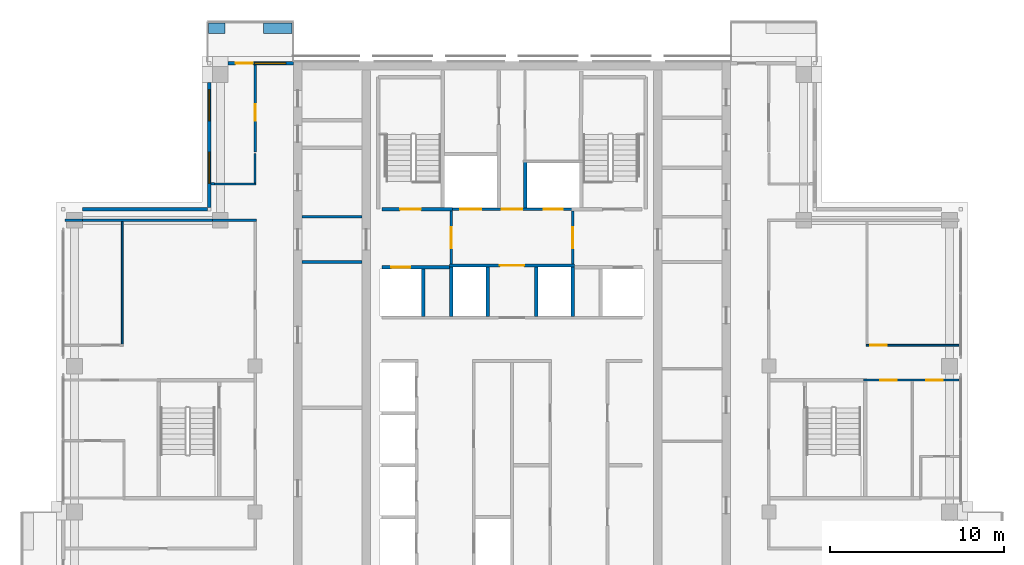
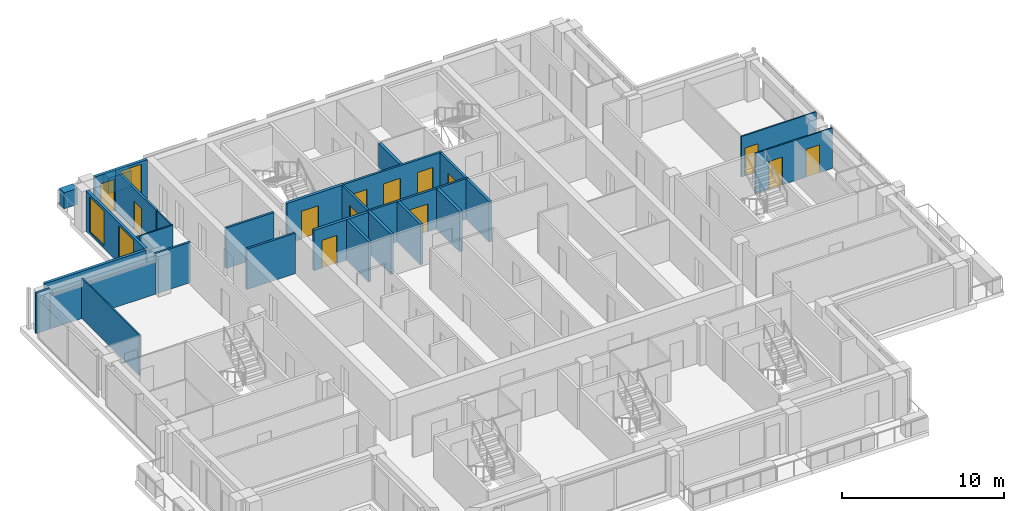
# One storey, part 12 of 17: 29 walls, 13 doors, 3 windows, 16 openings.
"""IFC4 building model written with IfcOpenShell, lengths in metres."""

from ifc_helpers import new_model, si_unit, direction, frame, frame_2d, origin, place, context, subcontext, project, spatial, rectangle, extrude, material, layer, layer_set, type_object, element, fill, save


model = new_model("IFC4")

# Units and contexts
model_context = context("Model", 3, precision=1e-05, world=origin(), true_north=direction((0.0, 1.0)))
body_context = subcontext(model_context, "Body", "Model", "MODEL_VIEW")
ifc_project = project(units=[si_unit("LENGTHUNIT", "METRE"), si_unit("AREAUNIT", "SQUARE_METRE"), si_unit("VOLUMEUNIT", "CUBIC_METRE"), si_unit("PLANEANGLEUNIT", "RADIAN"), si_unit("MASSUNIT", "GRAM", prefix="KILO")], contexts=[model_context])

# Site, building, storey
site_placement = place(None, origin())
site = spatial("IfcSite", under=ifc_project, at=site_placement, CompositionType="ELEMENT")
building_placement = place(site_placement, origin())
building = spatial("IfcBuilding", under=site, at=building_placement, Name="Vermilion Ogive Tower", CompositionType="ELEMENT")
storey_placement = place(building_placement, frame((0.0, 0.0, 257.949951171875)))
storey = spatial("IfcBuildingStorey", under=building, at=storey_placement, Name="L68", CompositionType="ELEMENT", Elevation=257.949951171875)

# Walls
ifc_material_1 = material(Name="Gypsum board partition on steel studs", Category="steel")
ifc_layer_1 = layer(ifc_material_1, 0.10009765625)
ifc_layer_set_1 = layer_set([ifc_layer_1], Name="Partition 100 bath")
wall_type_1 = type_object("IfcWallType", Name="Partition 100 bath", PredefinedType="PARTITIONING", material=ifc_layer_set_1)
wall_1_placement = place(storey_placement, frame((-17.25, 14.699951171875, 0.0), z_axis=(0.0, 0.0, 1.0), x_axis=(1.0, 0.0, 0.0)))
element("IfcWall", 1, at=wall_1_placement, inside=storey, type_object=wall_type_1, Name="L68-W-W033", PredefinedType="PARTITIONING", context=body_context, shape_type="SweptSolid", body=[
    extrude(rectangle(XDim=2.5, YDim=0.10009765625, at=frame_2d((1.25, 0.0))), origin(), (0.0, 0.0, 1.0), 3.050048828125),
])
wall_2_placement = place(storey_placement, frame((-14.800048828125, 14.75, 0.0), z_axis=(0.0, 0.0, 1.0), x_axis=(0.0, 1.0, 0.0)))
element("IfcWall", 2, at=wall_2_placement, inside=storey, type_object=wall_type_1, Name="L68-W-W046", PredefinedType="PARTITIONING", context=body_context, shape_type="SweptSolid", body=[
    extrude(rectangle(XDim=1.699951171875, YDim=0.10009765625, at=frame_2d((0.85009765625, 0.0))), origin(), (0.0, 0.0, 1.0), 3.050048828125),
])

# Wall, openings, doors
ifc_material_2 = material(Name="Gypsum board partition on steel studs", Category="steel")
ifc_layer_2 = layer(ifc_material_2, 0.10009765625)
ifc_layer_set_2 = layer_set([ifc_layer_2], Name="Partition 100 inner")
wall_type_2 = type_object("IfcWallType", Name="Partition 100 inner", PredefinedType="PARTITIONING", material=ifc_layer_set_2)
wall_3_placement = place(storey_placement, frame((20.25, 3.39990234375, 0.0), z_axis=(0.0, 0.0, 1.0), x_axis=(1.0, 0.0, 0.0)))
wall_3 = element("IfcWall", 3, at=wall_3_placement, inside=storey, type_object=wall_type_2, Name="L68-W-W027", PredefinedType="PARTITIONING", context=body_context, shape_type="SweptSolid", body=[
    extrude(rectangle(XDim=5.5, YDim=0.10009765625, at=frame_2d((2.75, 0.0))), origin(), (0.0, 0.0, 1.0), 3.050048828125),
])
opening_1_placement = place(wall_3_placement, frame((3.625, 0.0, 0.0)))
opening_1 = element("IfcOpeningElement", 4, at=opening_1_placement, cuts=wall_3, Name="Opening D5G5014", PredefinedType="OPENING", context=body_context, shape_type="SweptSolid", body=[
    extrude(rectangle(XDim=0.949951171875, YDim=2.10009765625, at=frame_2d((0.47509765625, 1.050048828125))), frame((0.0, 0.06005859375, 0.0), z_axis=(0.0, -1.0, 0.0), x_axis=(1.0, 0.0, 0.0)), (0.0, 0.0, 1.0), 0.1201171875),
])
opening_2_placement = place(wall_3_placement, frame((0.97509765625, 0.0, 0.0)))
opening_2 = element("IfcOpeningElement", 5, at=opening_2_placement, cuts=wall_3, Name="Opening D5G5017", PredefinedType="OPENING", context=body_context, shape_type="SweptSolid", body=[
    extrude(rectangle(XDim=0.949951171875, YDim=2.10009765625, at=frame_2d((0.47509765625, 1.050048828125))), frame((0.0, 0.06005859375, 0.0), z_axis=(0.0, -1.0, 0.0), x_axis=(1.0, 0.0, 0.0)), (0.0, 0.0, 1.0), 0.1201171875),
])
ifc_material_3 = material(Name="Timber door leaf", Category="wood")
door_type_1 = type_object("IfcDoorType", Name="Inner door 950 x 2100 FD30", OperationType="SINGLE_SWING_LEFT", PredefinedType="DOOR", material=ifc_material_3)
door_1_placement = place(opening_1_placement, origin())
door_1 = element("IfcDoor", 6, at=door_1_placement, inside=storey, type_object=door_type_1, Name="L68-D-D014", OperationType="SINGLE_SWING_LEFT", OverallHeight=2.10009765625, OverallWidth=0.949951171875, PredefinedType="DOOR", context=body_context, shape_type="SweptSolid", body=[
    extrude(rectangle(XDim=0.949951171875, YDim=2.10009765625, at=frame_2d((0.47509765625, 1.050048828125))), frame((0.0, 0.02490234375, 0.0), z_axis=(0.0, -1.0, 0.0), x_axis=(1.0, 0.0, 0.0)), (0.0, 0.0, 1.0), 0.050048828125),
])
fill(opening_1, door_1)
door_2_placement = place(opening_2_placement, origin())
door_2 = element("IfcDoor", 7, at=door_2_placement, inside=storey, type_object=door_type_1, Name="L68-D-D017", OperationType="SINGLE_SWING_RIGHT", OverallHeight=2.10009765625, OverallWidth=0.949951171875, PredefinedType="DOOR", context=body_context, shape_type="SweptSolid", body=[
    extrude(rectangle(XDim=0.949951171875, YDim=2.10009765625, at=frame_2d((0.47509765625, 1.050048828125))), frame((0.0, 0.02490234375, 0.0), z_axis=(0.0, -1.0, 0.0), x_axis=(1.0, 0.0, 0.0)), (0.0, 0.0, 1.0), 0.050048828125),
])
fill(opening_2, door_2)

# Wall, opening, door
wall_4_placement = place(storey_placement, frame((20.39990234375, 5.39990234375, 0.0), z_axis=(0.0, 0.0, 1.0), x_axis=(1.0, 0.0, 0.0)))
wall_4 = element("IfcWall", 8, at=wall_4_placement, inside=storey, type_object=wall_type_2, Name="L68-W-W029", PredefinedType="PARTITIONING", context=body_context, shape_type="SweptSolid", body=[
    extrude(rectangle(XDim=5.35009765625, YDim=0.10009765625, at=frame_2d((2.675048828125, 0.0))), origin(), (0.0, 0.0, 1.0), 3.050048828125),
])
opening_3_placement = place(wall_4_placement, frame((0.25, 0.0, 0.0)))
opening_3 = element("IfcOpeningElement", 9, at=opening_3_placement, cuts=wall_4, Name="Opening D5G5015", PredefinedType="OPENING", context=body_context, shape_type="SweptSolid", body=[
    extrude(rectangle(XDim=0.949951171875, YDim=2.10009765625, at=frame_2d((0.47509765625, 1.050048828125))), frame((0.0, 0.06005859375, 0.0), z_axis=(0.0, -1.0, 0.0), x_axis=(1.0, 0.0, 0.0)), (0.0, 0.0, 1.0), 0.1201171875),
])
door_3_placement = place(opening_3_placement, origin())
door_3 = element("IfcDoor", 10, at=door_3_placement, inside=storey, type_object=door_type_1, Name="L68-D-D015", OperationType="SINGLE_SWING_LEFT", OverallHeight=2.10009765625, OverallWidth=0.949951171875, PredefinedType="DOOR", context=body_context, shape_type="SweptSolid", body=[
    extrude(rectangle(XDim=0.949951171875, YDim=2.10009765625, at=frame_2d((0.47509765625, 1.050048828125))), frame((0.0, 0.02490234375, 0.0), z_axis=(0.0, -1.0, 0.0), x_axis=(1.0, 0.0, 0.0)), (0.0, 0.0, 1.0), 0.050048828125),
])
fill(opening_3, door_3)

# Walls
wall_5_placement = place(storey_placement, frame((-22.449951171875, 5.449951171875, 0.0), z_axis=(0.0, 0.0, 1.0), x_axis=(0.0, 1.0, 0.0)))
element("IfcWall", 11, at=wall_5_placement, inside=storey, type_object=wall_type_2, Name="L68-W-W038", PredefinedType="PARTITIONING", context=body_context, shape_type="SweptSolid", body=[
    extrude(rectangle(XDim=7.074951171875, YDim=0.10009765625, at=frame_2d((3.53759765625, 0.0))), origin(), (0.0, 0.0, 1.0), 3.050048828125),
])
ifc_material_4 = material(Name="Gypsum board partition on steel studs", Category="steel")
ifc_layer_3 = layer(ifc_material_4, 0.14990234375)
ifc_layer_set_3 = layer_set([ifc_layer_3], Name="Partition 150 corridor")
wall_type_3 = type_object("IfcWallType", Name="Partition 150 corridor", PredefinedType="PARTITIONING", material=ifc_layer_set_3)
wall_6_placement = place(storey_placement, frame((-25.75, 12.60009765625, 0.0), z_axis=(0.0, 0.0, 1.0), x_axis=(1.0, 0.0, 0.0)))
element("IfcWall", 12, at=wall_6_placement, inside=storey, type_object=wall_type_3, Name="L68-W-W030", PredefinedType="PARTITIONING", context=body_context, shape_type="SweptSolid", body=[
    extrude(rectangle(XDim=1.0, YDim=0.14990234375, at=frame_2d((0.5, 0.0))), origin(), (0.0, 0.0, 1.0), 3.050048828125),
])
wall_7_placement = place(storey_placement, frame((-17.35009765625, 14.699951171875, 0.0), z_axis=(0.0, 0.0, 1.0), x_axis=(1.0, 0.0, 0.0)))
element("IfcWall", 13, at=wall_7_placement, inside=storey, type_object=wall_type_3, Name="L68-W-W032", PredefinedType="PARTITIONING", context=body_context, shape_type="SweptSolid", body=[
    extrude(rectangle(XDim=0.2001953125, YDim=0.14990234375, at=frame_2d((0.10009765625, 0.0))), origin(), (0.0, 0.0, 1.0), 3.050048828125),
])

# Wall, opening, door
wall_8_placement = place(storey_placement, frame((-14.800048828125, 16.550048828125, 0.0), z_axis=(0.0, 0.0, 1.0), x_axis=(0.0, 1.0, 0.0)))
wall_8 = element("IfcWall", 14, at=wall_8_placement, inside=storey, type_object=wall_type_3, Name="L68-W-W047", PredefinedType="PARTITIONING", context=body_context, shape_type="SweptSolid", body=[
    extrude(rectangle(XDim=5.0, YDim=0.14990234375, at=frame_2d((2.5, 0.0))), origin(), (0.0, 0.0, 1.0), 3.050048828125),
])
opening_4_placement = place(wall_8_placement, frame((1.800048828125, 0.0, 0.0)))
opening_4 = element("IfcOpeningElement", 15, at=opening_4_placement, cuts=wall_8, Name="Opening D5G5007", PredefinedType="OPENING", context=body_context, shape_type="SweptSolid", body=[
    extrude(rectangle(XDim=0.949951171875, YDim=2.10009765625, at=frame_2d((0.47509765625, 1.050048828125))), frame((0.0, 0.0849609375, 0.0), z_axis=(0.0, -1.0, 0.0), x_axis=(1.0, 0.0, 0.0)), (0.0, 0.0, 1.0), 0.169921875),
])
ifc_material_5 = material(Name="Timber door leaf", Category="wood")
door_type_2 = type_object("IfcDoorType", Name="Unit door 950 x 2100 FD30S", OperationType="SINGLE_SWING_LEFT", PredefinedType="DOOR", material=ifc_material_5)
door_4_placement = place(opening_4_placement, origin())
door_4 = element("IfcDoor", 16, at=door_4_placement, inside=storey, type_object=door_type_2, Name="L68-D-D007", OperationType="SINGLE_SWING_RIGHT", OverallHeight=2.10009765625, OverallWidth=0.949951171875, PredefinedType="DOOR", context=body_context, shape_type="SweptSolid", body=[
    extrude(rectangle(XDim=0.949951171875, YDim=2.10009765625, at=frame_2d((0.47509765625, 1.050048828125))), frame((0.0, 0.02490234375, 0.0), z_axis=(0.0, -1.0, 0.0), x_axis=(1.0, 0.0, 0.0)), (0.0, 0.0, 1.0), 0.050048828125),
])
fill(opening_4, door_4)

wall_9_placement = place(storey_placement, frame((-3.60009765625, 10.0, 0.0), z_axis=(0.0, 0.0, 1.0), x_axis=(1.0, 0.0, 0.0)))
wall_9 = element("IfcWall", 17, at=wall_9_placement, inside=storey, type_object=wall_type_3, Name="L68-CK-W-W013", PredefinedType="PARTITIONING", context=body_context, shape_type="SweptSolid", body=[
    extrude(rectangle(XDim=7.2001953125, YDim=0.14990234375, at=frame_2d((3.60009765625, 0.0))), origin(), (0.0, 0.0, 1.0), 3.050048828125),
])
opening_5_placement = place(wall_9_placement, frame((2.900146484375, 0.0, 0.0)))
opening_5 = element("IfcOpeningElement", 18, at=opening_5_placement, cuts=wall_9, Name="Opening DAA636", PredefinedType="OPENING", context=body_context, shape_type="SweptSolid", body=[
    extrude(rectangle(XDim=1.39990234375, YDim=2.10009765625, at=frame_2d((0.699951171875, 1.050048828125))), frame((0.0, 0.0849609375, 0.0), z_axis=(0.0, -1.0, 0.0), x_axis=(1.0, 0.0, 0.0)), (0.0, 0.0, 1.0), 0.169921875),
])
ifc_material_6 = material(Name="Timber door leaf", Category="wood")
door_type_3 = type_object("IfcDoorType", Name="Lobby door 1400 x 2100 FD60S", OperationType="SINGLE_SWING_LEFT", PredefinedType="DOOR", material=ifc_material_6)
door_5_placement = place(opening_5_placement, origin())
door_5 = element("IfcDoor", 19, at=door_5_placement, inside=storey, type_object=door_type_3, Name="L68-CK-D-D016", OperationType="SINGLE_SWING_RIGHT", OverallHeight=2.10009765625, OverallWidth=1.39990234375, PredefinedType="DOOR", context=body_context, shape_type="SweptSolid", body=[
    extrude(rectangle(XDim=1.39990234375, YDim=2.10009765625, at=frame_2d((0.699951171875, 1.050048828125))), frame((0.0, 0.02490234375, 0.0), z_axis=(0.0, -1.0, 0.0), x_axis=(1.0, 0.0, 0.0)), (0.0, 0.0, 1.0), 0.050048828125),
])
fill(opening_5, door_5)

# Wall, openings, doors
wall_10_placement = place(storey_placement, frame((-3.574951171875, 13.25, 0.0), z_axis=(0.0, 0.0, 1.0), x_axis=(1.0, 0.0, 0.0)))
wall_10 = element("IfcWall", 20, at=wall_10_placement, inside=storey, type_object=wall_type_3, Name="L68-CK-W-W015", PredefinedType="PARTITIONING", context=body_context, shape_type="SweptSolid", body=[
    extrude(rectangle(XDim=7.14990234375, YDim=0.14990234375, at=frame_2d((3.574951171875, 0.0))), origin(), (0.0, 0.0, 1.0), 3.050048828125),
])
opening_6_placement = place(wall_10_placement, frame((0.599853515625, 0.0, 0.0)))
opening_6 = element("IfcOpeningElement", 21, at=opening_6_placement, cuts=wall_10, Name="Opening DAA655", PredefinedType="OPENING", context=body_context, shape_type="SweptSolid", body=[
    extrude(rectangle(XDim=1.199951171875, YDim=2.10009765625, at=frame_2d((0.60009765625, 1.050048828125))), frame((0.0, 0.0849609375, 0.0), z_axis=(0.0, -1.0, 0.0), x_axis=(1.0, 0.0, 0.0)), (0.0, 0.0, 1.0), 0.169921875),
])
opening_7_placement = place(wall_10_placement, frame((5.39990234375, 0.0, 0.0)))
opening_7 = element("IfcOpeningElement", 22, at=opening_7_placement, cuts=wall_10, Name="Opening DAA654", PredefinedType="OPENING", context=body_context, shape_type="SweptSolid", body=[
    extrude(rectangle(XDim=1.10009765625, YDim=2.10009765625, at=frame_2d((0.550048828125, 1.050048828125))), frame((0.0, 0.0849609375, 0.0), z_axis=(0.0, -1.0, 0.0), x_axis=(1.0, 0.0, 0.0)), (0.0, 0.0, 1.0), 0.169921875),
])
opening_8_placement = place(wall_10_placement, frame((2.974853515625, 0.0, 0.0)))
opening_8 = element("IfcOpeningElement", 23, at=opening_8_placement, cuts=wall_10, Name="Opening DAA637", PredefinedType="OPENING", context=body_context, shape_type="SweptSolid", body=[
    extrude(rectangle(XDim=1.199951171875, YDim=2.10009765625, at=frame_2d((0.60009765625, 1.050048828125))), frame((0.0, 0.0849609375, 0.0), z_axis=(0.0, -1.0, 0.0), x_axis=(1.0, 0.0, 0.0)), (0.0, 0.0, 1.0), 0.169921875),
])
ifc_material_7 = material(Name="Stainless steel", Category="steel")
door_type_4 = type_object("IfcDoorType", Name="Lift landing door 1100 x 2100", OperationType="SLIDING_TO_LEFT", PredefinedType="DOOR", material=ifc_material_7)
door_6_placement = place(opening_7_placement, origin())
door_6 = element("IfcDoor", 24, at=door_6_placement, inside=storey, type_object=door_type_4, Name="L68-CK-D-D018", OperationType="SLIDING_TO_LEFT", OverallHeight=2.10009765625, OverallWidth=1.10009765625, PredefinedType="DOOR", context=body_context, shape_type="SweptSolid", body=[
    extrude(rectangle(XDim=1.10009765625, YDim=2.10009765625, at=frame_2d((0.550048828125, 1.050048828125))), frame((0.0, 0.02490234375, 0.0), z_axis=(0.0, -1.0, 0.0), x_axis=(1.0, 0.0, 0.0)), (0.0, 0.0, 1.0), 0.050048828125),
])
fill(opening_7, door_6)
ifc_material_8 = material(Name="Stainless steel", Category="steel")
door_type_5 = type_object("IfcDoorType", Name="Lift landing door 1200 x 2100", OperationType="SLIDING_TO_LEFT", PredefinedType="DOOR", material=ifc_material_8)
door_7_placement = place(opening_6_placement, origin())
door_7 = element("IfcDoor", 25, at=door_7_placement, inside=storey, type_object=door_type_5, Name="L68-CK-D-D017", OperationType="SLIDING_TO_RIGHT", OverallHeight=2.10009765625, OverallWidth=1.199951171875, PredefinedType="DOOR", context=body_context, shape_type="SweptSolid", body=[
    extrude(rectangle(XDim=1.199951171875, YDim=2.10009765625, at=frame_2d((0.60009765625, 1.050048828125))), frame((0.0, 0.02490234375, 0.0), z_axis=(0.0, -1.0, 0.0), x_axis=(1.0, 0.0, 0.0)), (0.0, 0.0, 1.0), 0.050048828125),
])
fill(opening_6, door_7)
ifc_material_9 = material(Name="Timber door leaf", Category="wood")
door_type_6 = type_object("IfcDoorType", Name="Service door 1200 x 2100 FD60", OperationType="SINGLE_SWING_LEFT", PredefinedType="DOOR", material=ifc_material_9)
door_8_placement = place(opening_8_placement, origin())
door_8 = element("IfcDoor", 26, at=door_8_placement, inside=storey, type_object=door_type_6, Name="L68-CK-D-D019", OperationType="SINGLE_SWING_RIGHT", OverallHeight=2.10009765625, OverallWidth=1.199951171875, PredefinedType="DOOR", context=body_context, shape_type="SweptSolid", body=[
    extrude(rectangle(XDim=1.199951171875, YDim=2.10009765625, at=frame_2d((0.60009765625, 1.050048828125))), frame((0.0, 0.02490234375, 0.0), z_axis=(0.0, -1.0, 0.0), x_axis=(1.0, 0.0, 0.0)), (0.0, 0.0, 1.0), 0.050048828125),
])
fill(opening_8, door_8)

# Wall, opening, door
wall_11_placement = place(storey_placement, frame((-3.5, 10.074951171875, 0.0), z_axis=(0.0, 0.0, 1.0), x_axis=(0.0, 1.0, 0.0)))
wall_11 = element("IfcWall", 27, at=wall_11_placement, inside=storey, type_object=wall_type_3, Name="L68-CK-W-W023", PredefinedType="PARTITIONING", context=body_context, shape_type="SweptSolid", body=[
    extrude(rectangle(XDim=3.074951171875, YDim=0.14990234375, at=frame_2d((1.53759765625, 0.0))), origin(), (0.0, 0.0, 1.0), 3.050048828125),
])
opening_9_placement = place(wall_11_placement, frame((0.925048828125, 0.0, 0.0)))
opening_9 = element("IfcOpeningElement", 28, at=opening_9_placement, cuts=wall_11, Name="Opening DAA633", PredefinedType="OPENING", context=body_context, shape_type="SweptSolid", body=[
    extrude(rectangle(XDim=1.199951171875, YDim=2.10009765625, at=frame_2d((0.60009765625, 1.050048828125))), frame((0.0, 0.0849609375, 0.0), z_axis=(0.0, -1.0, 0.0), x_axis=(1.0, 0.0, 0.0)), (0.0, 0.0, 1.0), 0.169921875),
])
ifc_material_10 = material(Name="Timber door leaf", Category="wood")
door_type_7 = type_object("IfcDoorType", Name="Lobby door 1200 x 2100 FD60S", OperationType="SINGLE_SWING_LEFT", PredefinedType="DOOR", material=ifc_material_10)
door_9_placement = place(opening_9_placement, origin())
door_9 = element("IfcDoor", 29, at=door_9_placement, inside=storey, type_object=door_type_7, Name="L68-CK-D-D022", OperationType="SINGLE_SWING_RIGHT", OverallHeight=2.10009765625, OverallWidth=1.199951171875, PredefinedType="DOOR", context=body_context, shape_type="SweptSolid", body=[
    extrude(rectangle(XDim=1.199951171875, YDim=2.10009765625, at=frame_2d((0.60009765625, 1.050048828125))), frame((0.0, 0.02490234375, 0.0), z_axis=(0.0, -1.0, 0.0), x_axis=(1.0, 0.0, 0.0)), (0.0, 0.0, 1.0), 0.050048828125),
])
fill(opening_9, door_9)

wall_12_placement = place(storey_placement, frame((3.5, 10.074951171875, 0.0), z_axis=(0.0, 0.0, 1.0), x_axis=(0.0, 1.0, 0.0)))
wall_12 = element("IfcWall", 30, at=wall_12_placement, inside=storey, type_object=wall_type_3, Name="L68-CK-W-W033", PredefinedType="PARTITIONING", context=body_context, shape_type="SweptSolid", body=[
    extrude(rectangle(XDim=3.074951171875, YDim=0.14990234375, at=frame_2d((1.53759765625, 0.0))), origin(), (0.0, 0.0, 1.0), 3.050048828125),
])
opening_10_placement = place(wall_12_placement, frame((0.925048828125, 0.0, 0.0)))
opening_10 = element("IfcOpeningElement", 31, at=opening_10_placement, cuts=wall_12, Name="Opening DAA634", PredefinedType="OPENING", context=body_context, shape_type="SweptSolid", body=[
    extrude(rectangle(XDim=1.199951171875, YDim=2.10009765625, at=frame_2d((0.60009765625, 1.050048828125))), frame((0.0, 0.0849609375, 0.0), z_axis=(0.0, -1.0, 0.0), x_axis=(1.0, 0.0, 0.0)), (0.0, 0.0, 1.0), 0.169921875),
])
door_10_placement = place(opening_10_placement, origin())
door_10 = element("IfcDoor", 32, at=door_10_placement, inside=storey, type_object=door_type_7, Name="L68-CK-D-D023", OperationType="SINGLE_SWING_LEFT", OverallHeight=2.10009765625, OverallWidth=1.199951171875, PredefinedType="DOOR", context=body_context, shape_type="SweptSolid", body=[
    extrude(rectangle(XDim=1.199951171875, YDim=2.10009765625, at=frame_2d((0.60009765625, 1.050048828125))), frame((0.0, 0.02490234375, 0.0), z_axis=(0.0, -1.0, 0.0), x_axis=(1.0, 0.0, 0.0)), (0.0, 0.0, 1.0), 0.050048828125),
])
fill(opening_10, door_10)

# Walls
for number, where, z_axis, x_axis, name in (
    (33, (-12.09912109375, 10.199951171875, 0.0), (0.0, 0.0, 1.0), (1.0, 0.0, 0.0), "L68-CKW-W-W002"),
    (34, (-12.09912109375, 12.800048828125, 0.0), (0.0, 0.0, 1.0), (1.0, 0.0, 0.0), "L68-CKW-W-W003"),
):
    element("IfcWall", number, at=place(storey_placement, frame(where, z_axis=z_axis, x_axis=x_axis)), inside=storey, type_object=wall_type_3, Name=name, PredefinedType="PARTITIONING", context=body_context, shape_type="SweptSolid", body=[
        extrude(rectangle(XDim=3.4482421875, YDim=0.14990234375, at=frame_2d((1.72412109375, 0.0))), origin(), (0.0, 0.0, 1.0), 3.050048828125),
    ])
wall_13_placement = place(storey_placement, frame((-24.75, 12.60009765625, 0.0), z_axis=(0.0, 0.0, 1.0), x_axis=(1.0, 0.0, 0.0)))
element("IfcWall", 35, at=wall_13_placement, inside=storey, type_object=wall_type_3, Name="L68-W-W030-h1", PredefinedType="PARTITIONING", context=body_context, shape_type="SweptSolid", body=[
    extrude(rectangle(XDim=7.5, YDim=0.14990234375, at=frame_2d((3.75, 0.0))), origin(), (0.0, 0.0, 1.0), 2.5),
])
wall_14_placement = place(storey_placement, frame((-17.25, 12.60009765625, 0.0), z_axis=(0.0, 0.0, 1.0), x_axis=(1.0, 0.0, 0.0)))
element("IfcWall", 36, at=wall_14_placement, inside=storey, type_object=wall_type_3, Name="L68-W-W030-h2", PredefinedType="PARTITIONING", context=body_context, shape_type="SweptSolid", body=[
    extrude(rectangle(XDim=2.52490234375, YDim=0.14990234375, at=frame_2d((1.262451171875, 0.0))), origin(), (0.0, 0.0, 1.0), 3.050048828125),
])

# Wall, opening, door
ifc_material_11 = material(Name="Gypsum board partition on steel studs", Category="steel")
ifc_layer_4 = layer(ifc_material_11, 0.199951171875)
ifc_layer_set_4 = layer_set([ifc_layer_4], Name="Partition 200 party")
wall_type_4 = type_object("IfcWallType", Name="Partition 200 party", PredefinedType="PARTITIONING", material=ifc_layer_set_4)
wall_15_placement = place(storey_placement, frame((-7.5, 9.89990234375, 0.0), z_axis=(0.0, 0.0, 1.0), x_axis=(1.0, 0.0, 0.0)))
wall_15 = element("IfcWall", 37, at=wall_15_placement, inside=storey, type_object=wall_type_4, Name="L68-CK-W-W011", PredefinedType="PARTITIONING", context=body_context, shape_type="SweptSolid", body=[
    extrude(rectangle(XDim=3.89990234375, YDim=0.199951171875, at=frame_2d((1.949951171875, 0.0))), origin(), (0.0, 0.0, 1.0), 3.050048828125),
])
opening_11_placement = place(wall_15_placement, frame((0.550048828125, 0.0, 0.0)))
opening_11 = element("IfcOpeningElement", 38, at=opening_11_placement, cuts=wall_15, Name="Opening DAA652", PredefinedType="OPENING", context=body_context, shape_type="SweptSolid", body=[
    extrude(rectangle(XDim=1.10009765625, YDim=2.10009765625, at=frame_2d((0.550048828125, 1.050048828125))), frame((0.0, 0.10986328125, 0.0), z_axis=(0.0, -1.0, 0.0), x_axis=(1.0, 0.0, 0.0)), (0.0, 0.0, 1.0), 0.219970703125),
])
door_11_placement = place(opening_11_placement, origin())
door_11 = element("IfcDoor", 39, at=door_11_placement, inside=storey, type_object=door_type_4, Name="L68-CK-D-D012", OperationType="SLIDING_TO_RIGHT", OverallHeight=2.10009765625, OverallWidth=1.10009765625, PredefinedType="DOOR", context=body_context, shape_type="SweptSolid", body=[
    extrude(rectangle(XDim=1.10009765625, YDim=2.10009765625, at=frame_2d((0.550048828125, 1.050048828125))), frame((0.0, 0.02490234375, 0.0), z_axis=(0.0, -1.0, 0.0), x_axis=(1.0, 0.0, 0.0)), (0.0, 0.0, 1.0), 0.050048828125),
])
fill(opening_11, door_11)

# Walls
wall_16_placement = place(storey_placement, frame((-5.10009765625, 7.074951171875, 0.0), z_axis=(0.0, 0.0, 1.0), x_axis=(0.0, 1.0, 0.0)))
element("IfcWall", 40, at=wall_16_placement, inside=storey, type_object=wall_type_4, Name="L68-CK-W-W020", PredefinedType="PARTITIONING", context=body_context, shape_type="SweptSolid", body=[
    extrude(rectangle(XDim=2.72509765625, YDim=0.199951171875, at=frame_2d((1.362548828125, 0.0))), origin(), (0.0, 0.0, 1.0), 3.050048828125),
])
for number, where, z_axis, x_axis, name in (
    (41, (-3.5, 7.074951171875, 0.0), (0.0, 0.0, 1.0), (0.0, 1.0, 0.0), "L68-CK-W-W022"),
    (42, (-1.39990234375, 7.074951171875, 0.0), (0.0, 0.0, 1.0), (0.0, 1.0, 0.0), "L68-CK-W-W025"),
):
    element("IfcWall", number, at=place(storey_placement, frame(where, z_axis=z_axis, x_axis=x_axis)), inside=storey, type_object=wall_type_4, Name=name, PredefinedType="PARTITIONING", context=body_context, shape_type="SweptSolid", body=[
        extrude(rectangle(XDim=2.85009765625, YDim=0.199951171875, at=frame_2d((1.425048828125, 0.0))), origin(), (0.0, 0.0, 1.0), 3.050048828125),
    ])
wall_17_placement = place(storey_placement, frame((0.75, 13.324951171875, 0.0), z_axis=(0.0, 0.0, 1.0), x_axis=(0.0, 1.0, 0.0)))
element("IfcWall", 43, at=wall_17_placement, inside=storey, type_object=wall_type_4, Name="L68-CK-W-W028", PredefinedType="PARTITIONING", context=body_context, shape_type="SweptSolid", body=[
    extrude(rectangle(XDim=2.625, YDim=0.199951171875, at=frame_2d((1.3125, 0.0))), origin(), (0.0, 0.0, 1.0), 3.050048828125),
])
for number, where, z_axis, x_axis, name in (
    (44, (1.39990234375, 7.074951171875, 0.0), (0.0, 0.0, 1.0), (0.0, 1.0, 0.0), "L68-CK-W-W030"),
    (45, (3.5, 7.074951171875, 0.0), (0.0, 0.0, 1.0), (0.0, 1.0, 0.0), "L68-CK-W-W032"),
):
    element("IfcWall", number, at=place(storey_placement, frame(where, z_axis=z_axis, x_axis=x_axis)), inside=storey, type_object=wall_type_4, Name=name, PredefinedType="PARTITIONING", context=body_context, shape_type="SweptSolid", body=[
        extrude(rectangle(XDim=2.85009765625, YDim=0.199951171875, at=frame_2d((1.425048828125, 0.0))), origin(), (0.0, 0.0, 1.0), 3.050048828125),
    ])

# Wall, opening, door
ifc_material_12 = material(Name="Concrete B60", Category="concrete")
ifc_layer_5 = layer(ifc_material_12, 0.199951171875)
ifc_layer_set_5 = layer_set([ifc_layer_5], Name="Stair shaft wall 200 Concrete B60")
wall_type_5 = type_object("IfcWallType", Name="Stair shaft wall 200 Concrete B60", PredefinedType="SOLIDWALL", material=ifc_layer_set_5)
wall_18_placement = place(storey_placement, frame((-7.5, 13.25, 0.0), z_axis=(0.0, 0.0, 1.0), x_axis=(1.0, 0.0, 0.0)))
wall_18 = element("IfcWall", 46, at=wall_18_placement, inside=storey, type_object=wall_type_5, Name="L68-CK-W-W014", PredefinedType="SOLIDWALL", context=body_context, shape_type="SweptSolid", body=[
    extrude(rectangle(XDim=4.074951171875, YDim=0.199951171875, at=frame_2d((2.03759765625, 0.0))), origin(), (0.0, 0.0, 1.0), 3.050048828125),
])
opening_12_placement = place(wall_18_placement, frame((1.050048828125, 0.0, 0.0)))
opening_12 = element("IfcOpeningElement", 47, at=opening_12_placement, cuts=wall_18, Name="Opening DAA645", PredefinedType="OPENING", context=body_context, shape_type="SweptSolid", body=[
    extrude(rectangle(XDim=1.199951171875, YDim=2.10009765625, at=frame_2d((0.60009765625, 1.050048828125))), frame((0.0, 0.10986328125, 0.0), z_axis=(0.0, -1.0, 0.0), x_axis=(1.0, 0.0, 0.0)), (0.0, 0.0, 1.0), 0.219970703125),
])
ifc_material_13 = material(Name="Timber door leaf", Category="wood")
door_type_8 = type_object("IfcDoorType", Name="Stair door 1200 x 2100 FD60S", OperationType="SINGLE_SWING_LEFT", PredefinedType="DOOR", material=ifc_material_13)
door_12_placement = place(opening_12_placement, origin())
door_12 = element("IfcDoor", 48, at=door_12_placement, inside=storey, type_object=door_type_8, Name="L68-CK-D-D011", OperationType="SINGLE_SWING_LEFT", OverallHeight=2.10009765625, OverallWidth=1.199951171875, PredefinedType="DOOR", context=body_context, shape_type="SweptSolid", body=[
    extrude(rectangle(XDim=1.199951171875, YDim=2.10009765625, at=frame_2d((0.60009765625, 1.050048828125))), frame((0.0, 0.02490234375, 0.0), z_axis=(0.0, -1.0, 0.0), x_axis=(1.0, 0.0, 0.0)), (0.0, 0.0, 1.0), 0.050048828125),
])
fill(opening_12, door_12)

# Walls
ifc_material_14 = material(Name="Concrete B40", Category="concrete")
ifc_layer_6 = layer(ifc_material_14, 0.60009765625)
ifc_layer_set_6 = layer_set([ifc_layer_6], Name="Structural planter")
wall_type_6 = type_object("IfcWallType", Name="Structural planter", PredefinedType="USERDEFINED", material=ifc_layer_set_6)
wall_19_placement = place(storey_placement, frame((-12.659912109375, 23.660888671875, -0.0400390625), z_axis=(0.0, 0.0, 1.0), x_axis=(-1.0, 0.0, 0.0)))
element("IfcWall", 49, at=wall_19_placement, inside=storey, type_object=wall_type_6, Name="Planter N201A1", ObjectType="PLANTER", PredefinedType="USERDEFINED", context=body_context, shape_type="SweptSolid", body=[
    extrude(rectangle(XDim=1.6650390625, YDim=0.60009765625, at=frame_2d((0.83251953125, 0.0))), origin(), (0.0, 0.0, 1.0), 1.2001953125),
])
wall_20_placement = place(storey_placement, frame((-16.52490234375, 23.660888671875, -0.0400390625), z_axis=(0.0, 0.0, 1.0), x_axis=(-1.0, 0.0, 0.0)))
element("IfcWall", 50, at=wall_20_placement, inside=storey, type_object=wall_type_6, Name="Planter N201A2", ObjectType="PLANTER", PredefinedType="USERDEFINED", context=body_context, shape_type="SweptSolid", body=[
    extrude(rectangle(XDim=0.965087890625, YDim=0.60009765625, at=frame_2d((0.482421875, 0.0))), origin(), (0.0, 0.0, 1.0), 1.2001953125),
])

# Wall, openings, door, window
ifc_material_15 = material(Name="Aluminium window wall framing", Category="aluminium")
ifc_layer_7 = layer(ifc_material_15, 0.199951171875)
ifc_layer_set_7 = layer_set([ifc_layer_7], Name="Window wall")
wall_type_7 = type_object("IfcWallType", Name="Window wall", PredefinedType="STANDARD", material=ifc_layer_set_7)
wall_21_placement = place(storey_placement, frame((-12.60009765625, 21.64990234375, 0.0), z_axis=(0.0, 0.0, 1.0), x_axis=(-1.0, 0.0, 0.0)))
wall_21 = element("IfcWall", 51, at=wall_21_placement, inside=storey, type_object=wall_type_7, Name="Window wall N21", PredefinedType="STANDARD", context=body_context, shape_type="SweptSolid", body=[
    extrude(rectangle(XDim=3.75, YDim=0.199951171875, at=frame_2d((1.875, 0.0))), origin(), (0.0, 0.0, 1.0), 3.050048828125),
])
opening_13_placement = place(wall_21_placement, frame((0.425048828125, 0.0, 0.199951171875)))
opening_13 = element("IfcOpeningElement", 52, at=opening_13_placement, cuts=wall_21, Name="Opening W1-N296", PredefinedType="OPENING", context=body_context, shape_type="SweptSolid", body=[
    extrude(rectangle(XDim=1.800048828125, YDim=2.64990234375, at=frame_2d((0.89990234375, 1.324951171875))), frame((0.0, 0.10986328125, 0.0), z_axis=(0.0, -1.0, 0.0), x_axis=(1.0, 0.0, 0.0)), (0.0, 0.0, 1.0), 0.219970703125),
])
opening_14_placement = place(wall_21_placement, frame((2.324951171875, 0.0, 0.0)))
opening_14 = element("IfcOpeningElement", 53, at=opening_14_placement, cuts=wall_21, Name="Opening D1-N296", PredefinedType="OPENING", context=body_context, shape_type="SweptSolid", body=[
    extrude(rectangle(XDim=1.0, YDim=2.39990234375, at=frame_2d((0.5, 1.199951171875))), frame((0.0, 0.10986328125, 0.0), z_axis=(0.0, -1.0, 0.0), x_axis=(1.0, 0.0, 0.0)), (0.0, 0.0, 1.0), 0.219970703125),
])
ifc_material_16 = material(Name="Aluminium framed glazed door", Category="aluminium")
door_type_9 = type_object("IfcDoorType", Name="Balcony door D1", OperationType="SINGLE_SWING_LEFT", PredefinedType="DOOR", material=ifc_material_16)
door_13_placement = place(opening_14_placement, origin())
door_13 = element("IfcDoor", 54, at=door_13_placement, inside=storey, type_object=door_type_9, Name="Balcony door N296", OperationType="SINGLE_SWING_LEFT", OverallHeight=2.39990234375, OverallWidth=1.0, PredefinedType="DOOR", context=body_context, shape_type="SweptSolid", body=[
    extrude(rectangle(XDim=1.0, YDim=2.39990234375, at=frame_2d((0.5, 1.199951171875))), frame((0.0, 0.02490234375, 0.0), z_axis=(0.0, -1.0, 0.0), x_axis=(1.0, 0.0, 0.0)), (0.0, 0.0, 1.0), 0.050048828125),
])
fill(opening_14, door_13)
ifc_material_17 = material(Name="Aluminium framed double glazing", Category="aluminium")
window_type = type_object("IfcWindowType", Name="Guest window W1", PartitioningType="SINGLE_PANEL", PredefinedType="WINDOW", material=ifc_material_17)
window_1_placement = place(opening_13_placement, origin())
window_1 = element("IfcWindow", 55, at=window_1_placement, inside=storey, type_object=window_type, Name="Window N296", OverallHeight=2.64990234375, OverallWidth=1.800048828125, PartitioningType="SINGLE_PANEL", PredefinedType="WINDOW", context=body_context, shape_type="SweptSolid", body=[
    extrude(rectangle(XDim=1.800048828125, YDim=2.64990234375, at=frame_2d((0.89990234375, 1.324951171875))), frame((0.0, 0.030029296875, 0.0), z_axis=(0.0, -1.0, 0.0), x_axis=(1.0, 0.0, 0.0)), (0.0, 0.0, 1.0), 0.06005859375),
])
fill(opening_13, window_1)

# Wall, openings, windows
wall_22_placement = place(storey_placement, frame((-17.449951171875, 20.550048828125, 0.0), z_axis=(0.0, 0.0, 1.0), x_axis=(0.0, -1.0, 0.0)))
wall_22 = element("IfcWall", 56, at=wall_22_placement, inside=storey, type_object=wall_type_7, Name="Window wall X51", PredefinedType="STANDARD", context=body_context, shape_type="SweptSolid", body=[
    extrude(rectangle(XDim=7.199951171875, YDim=0.199951171875, at=frame_2d((3.60009765625, 0.0))), origin(), (0.0, 0.0, 1.0), 3.050048828125),
])
opening_15_placement = place(wall_22_placement, frame((4.02490234375, 0.0, 0.199951171875)))
opening_15 = element("IfcOpeningElement", 57, at=opening_15_placement, cuts=wall_22, Name="Opening W1-X503", PredefinedType="OPENING", context=body_context, shape_type="SweptSolid", body=[
    extrude(rectangle(XDim=1.800048828125, YDim=2.64990234375, at=frame_2d((0.89990234375, 1.324951171875))), frame((0.0, 0.10986328125, 0.0), z_axis=(0.0, -1.0, 0.0), x_axis=(1.0, 0.0, 0.0)), (0.0, 0.0, 1.0), 0.219970703125),
])
opening_16_placement = place(wall_22_placement, frame((0.425048828125, 0.0, 0.199951171875)))
opening_16 = element("IfcOpeningElement", 58, at=opening_16_placement, cuts=wall_22, Name="Opening W1-X504", PredefinedType="OPENING", context=body_context, shape_type="SweptSolid", body=[
    extrude(rectangle(XDim=1.800048828125, YDim=2.64990234375, at=frame_2d((0.89990234375, 1.324951171875))), frame((0.0, 0.10986328125, 0.0), z_axis=(0.0, -1.0, 0.0), x_axis=(1.0, 0.0, 0.0)), (0.0, 0.0, 1.0), 0.219970703125),
])
window_2_placement = place(opening_15_placement, origin())
window_2 = element("IfcWindow", 59, at=window_2_placement, inside=storey, type_object=window_type, Name="Window X503", OverallHeight=2.64990234375, OverallWidth=1.800048828125, PartitioningType="SINGLE_PANEL", PredefinedType="WINDOW", context=body_context, shape_type="SweptSolid", body=[
    extrude(rectangle(XDim=1.800048828125, YDim=2.64990234375, at=frame_2d((0.89990234375, 1.324951171875))), frame((0.0, 0.030029296875, 0.0), z_axis=(0.0, -1.0, 0.0), x_axis=(1.0, 0.0, 0.0)), (0.0, 0.0, 1.0), 0.06005859375),
])
fill(opening_15, window_2)
window_3_placement = place(opening_16_placement, origin())
window_3 = element("IfcWindow", 60, at=window_3_placement, inside=storey, type_object=window_type, Name="Window X504", OverallHeight=2.64990234375, OverallWidth=1.800048828125, PartitioningType="SINGLE_PANEL", PredefinedType="WINDOW", context=body_context, shape_type="SweptSolid", body=[
    extrude(rectangle(XDim=1.800048828125, YDim=2.64990234375, at=frame_2d((0.89990234375, 1.324951171875))), frame((0.0, 0.030029296875, 0.0), z_axis=(0.0, -1.0, 0.0), x_axis=(1.0, 0.0, 0.0)), (0.0, 0.0, 1.0), 0.06005859375),
])
fill(opening_16, window_3)

# Wall
wall_23_placement = place(storey_placement, frame((-17.550048828125, 13.25, 0.0), z_axis=(0.0, 0.0, 1.0), x_axis=(-1.0, 0.0, 0.0)))
element("IfcWall", 61, at=wall_23_placement, inside=storey, type_object=wall_type_7, Name="Window wall X61", PredefinedType="STANDARD", context=body_context, shape_type="SweptSolid", body=[
    extrude(rectangle(XDim=7.199951171875, YDim=0.199951171875, at=frame_2d((3.60009765625, 0.0))), origin(), (0.0, 0.0, 1.0), 3.050048828125),
])

save(model, "model.ifc")
